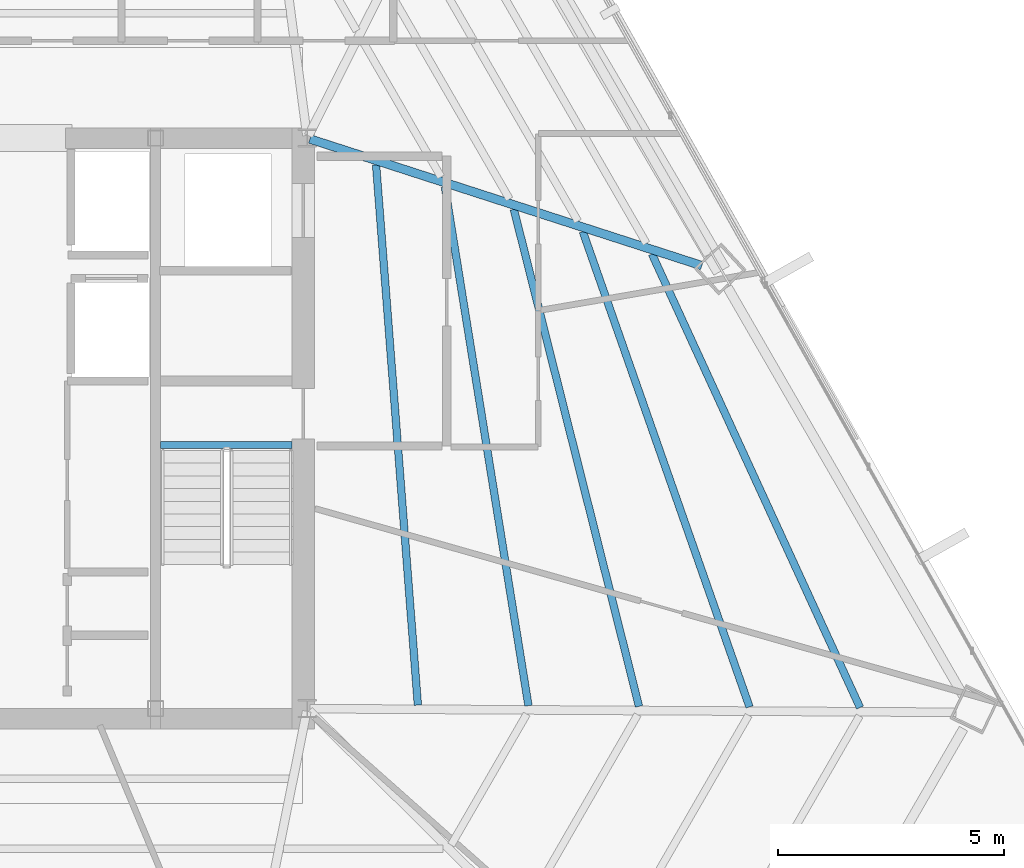
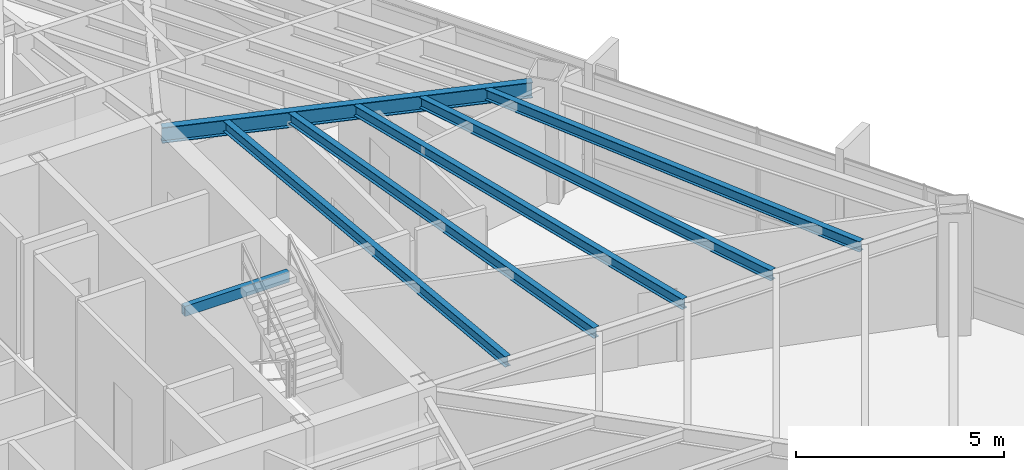
# One storey, part 23 of 42: 7 beams.
"""IFC4 building model written with IfcOpenShell, lengths in metres."""

from ifc_helpers import new_model, si_unit, direction, frame, origin, origin_2d, place, context, subcontext, project, spatial, hollow_rectangle, i_section, extrude, source, transform, mapped, material, material_profile, profile_set, type_object, type_shapes, element, save


model = new_model("IFC4")

# Units and contexts
model_context = context("Model", 3, precision=1e-05, world=origin(), true_north=direction((0.0, 1.0)))
body_context = subcontext(model_context, "Body", "Model", "MODEL_VIEW")
ifc_project = project(units=[si_unit("LENGTHUNIT", "METRE"), si_unit("AREAUNIT", "SQUARE_METRE"), si_unit("VOLUMEUNIT", "CUBIC_METRE"), si_unit("PLANEANGLEUNIT", "RADIAN"), si_unit("MASSUNIT", "GRAM", prefix="KILO")], contexts=[model_context])

# Site, building, storey
site_placement = place(None, origin())
site = spatial("IfcSite", under=ifc_project, at=site_placement, CompositionType="ELEMENT")
building_placement = place(site_placement, origin())
building = spatial("IfcBuilding", under=site, at=building_placement, Name="Caelisora Broadcast Tower", CompositionType="ELEMENT")
storey_placement = place(building_placement, frame((0.0, 0.0, 191.35009765625)))
storey = spatial("IfcBuildingStorey", under=building, at=storey_placement, Name="L50", CompositionType="ELEMENT", Elevation=191.35009765625)

# Beams
ifc_material_1 = material(Name="Steel Grade 350 (AS/NZS 1163 C350L0)", Category="steel")
ifc_material_profile_1 = material_profile(ifc_material_1, hollow_rectangle(XDim=0.14990234375, YDim=0.300048828125, WallThickness=0.010009765625, at=origin_2d()), Name="Steel Grade 350 (AS/NZS 1163 C350L0)")
ifc_profile_set_1 = profile_set([ifc_material_profile_1], Name="Steel Grade 350 (AS/NZS 1163 C350L0)")
beam_type_1 = type_object("IfcBeamType", Name="SB05", PredefinedType="JOIST", material=ifc_profile_set_1)
shared_shape_1 = source(origin(), body_context, "Body", "SweptSolid", [
    extrude(hollow_rectangle(XDim=0.14990234375, YDim=0.300048828125, WallThickness=0.010009765625, at=origin_2d()), origin(), (0.0, 0.0, 1.0), 2.89990234375),
])
type_shapes(beam_type_1, [shared_shape_1])
beam_1_placement = place(storey_placement, frame((42.260009765625, 23.219970703125, 3.25), z_axis=(1.0, 0.0, 0.0), x_axis=(0.0, 1.0, 0.0)))
element("IfcBeam", 1, at=beam_1_placement, inside=storey, type_object=beam_type_1, Name="L50 beam SB05", PredefinedType="JOIST", context=body_context, shape_type="MappedRepresentation", body=[
    mapped(shared_shape_1, transform((0.0, 0.0, 0.0), scale=1.0)),
])
ifc_material_2 = material(Name="Steel Grade 350 (AS/NZS 3679.1)", Category="steel")
ifc_material_profile_2 = material_profile(ifc_material_2, i_section(OverallWidth=0.19091796875, OverallDepth=0.46044921875, WebThickness=0.010009765625, FlangeThickness=0.01611328125, at=origin_2d()), Name="Steel Grade 350 (AS/NZS 3679.1)")
ifc_profile_set_2 = profile_set([ifc_material_profile_2], Name="Steel Grade 350 (AS/NZS 3679.1)")
beam_type_2 = type_object("IfcBeamType", Name="PG06", PredefinedType="BEAM", material=ifc_profile_set_2)
shared_shape_2 = source(origin(), body_context, "Body", "SweptSolid", [
    extrude(i_section(OverallWidth=0.19091796875, OverallDepth=0.46044921875, WebThickness=0.010009765625, FlangeThickness=0.01611328125, at=origin_2d()), origin(), (0.0, 0.0, 1.0), 9.096923828125),
])
type_shapes(beam_type_2, [shared_shape_2])
beam_2_placement = place(storey_placement, frame((45.55712890625, 29.9814453125, 3.169677734375), z_axis=(0.951510614075, -0.307615915229, 0.0), x_axis=(0.307615915229, 0.951510614075, 0.0)))
element("IfcBeam", 2, at=beam_2_placement, inside=storey, type_object=beam_type_2, Name="L50 beam PG06", PredefinedType="BEAM", context=body_context, shape_type="MappedRepresentation", body=[
    mapped(shared_shape_2, transform((0.0, 0.0, 0.0), scale=1.0)),
])
ifc_material_profile_3 = material_profile(ifc_material_2, i_section(OverallWidth=0.166015625, OverallDepth=0.30712890625, WebThickness=0.006591796875, FlangeThickness=0.01171875, at=origin_2d()), Name="Steel Grade 350 (AS/NZS 3679.1)")
ifc_profile_set_3 = profile_set([ifc_material_profile_3], Name="Steel Grade 350 (AS/NZS 3679.1)")
beam_type_3 = type_object("IfcBeamType", Name="SB03", PredefinedType="JOIST", material=ifc_profile_set_3)
shared_shape_3 = source(origin(), body_context, "Body", "SweptSolid", [
    extrude(i_section(OverallWidth=0.166015625, OverallDepth=0.30712890625, WebThickness=0.006591796875, FlangeThickness=0.01171875, at=origin_2d()), origin(), (0.0, 0.0, 1.0), 11.968017578125),
])
beam_3_placement = place(storey_placement, frame((47.94287109375, 17.478759765625, 3.246337890625), z_axis=(-0.077150437032, 0.997019463233, 0.0), x_axis=(-0.997019463233, -0.077150437032, 0.0)))
element("IfcBeam", 3, at=beam_3_placement, inside=storey, type_object=beam_type_3, Name="L50 beam SB03", PredefinedType="JOIST", context=body_context, shape_type="MappedRepresentation", body=[
    mapped(shared_shape_3, transform((0.0, 0.0, 0.0), scale=1.0)),
])
shared_shape_4 = source(origin(), body_context, "Body", "SweptSolid", [
    extrude(i_section(OverallWidth=0.166015625, OverallDepth=0.30712890625, WebThickness=0.006591796875, FlangeThickness=0.01171875, at=origin_2d()), origin(), (0.0, 0.0, 1.0), 11.602294921875),
])
beam_4_placement = place(storey_placement, frame((50.385009765625, 17.465087890625, 3.246337890625), z_axis=(-0.159018744111, 0.987275563873, 0.0), x_axis=(-0.987275563873, -0.159018744111, 0.0)))
element("IfcBeam", 4, at=beam_4_placement, inside=storey, type_object=beam_type_3, Name="L50 beam SB03", PredefinedType="JOIST", context=body_context, shape_type="MappedRepresentation", body=[
    mapped(shared_shape_4, transform((0.0, 0.0, 0.0), scale=1.0)),
])
shared_shape_5 = source(origin(), body_context, "Body", "SweptSolid", [
    extrude(i_section(OverallWidth=0.166015625, OverallDepth=0.30712890625, WebThickness=0.006591796875, FlangeThickness=0.01171875, at=origin_2d()), origin(), (0.0, 0.0, 1.0), 11.318603515625),
])
beam_5_placement = place(storey_placement, frame((52.826416015625, 17.451416015625, 3.246337890625), z_axis=(-0.244235464651, 0.969715957282, 0.0), x_axis=(-0.969715957282, -0.244235464651, 0.0)))
element("IfcBeam", 5, at=beam_5_placement, inside=storey, type_object=beam_type_3, Name="L50 beam SB03", PredefinedType="JOIST", context=body_context, shape_type="MappedRepresentation", body=[
    mapped(shared_shape_5, transform((0.0, 0.0, 0.0), scale=1.0)),
])
shared_shape_6 = source(origin(), body_context, "Body", "SweptSolid", [
    extrude(i_section(OverallWidth=0.166015625, OverallDepth=0.30712890625, WebThickness=0.006591796875, FlangeThickness=0.01171875, at=origin_2d()), origin(), (0.0, 0.0, 1.0), 11.12353515625),
])
beam_6_placement = place(storey_placement, frame((55.26708984375, 17.43798828125, 3.246337890625), z_axis=(-0.330958456134, 0.943645325487, 0.0), x_axis=(-0.943645325487, -0.330958456134, 0.0)))
element("IfcBeam", 6, at=beam_6_placement, inside=storey, type_object=beam_type_3, Name="L50 beam SB03", PredefinedType="JOIST", context=body_context, shape_type="MappedRepresentation", body=[
    mapped(shared_shape_6, transform((0.0, 0.0, 0.0), scale=1.0)),
])
shared_shape_7 = source(origin(), body_context, "Body", "SweptSolid", [
    extrude(i_section(OverallWidth=0.166015625, OverallDepth=0.30712890625, WebThickness=0.006591796875, FlangeThickness=0.01171875, at=origin_2d()), origin(), (0.0, 0.0, 1.0), 11.020263671875),
])
type_shapes(beam_type_3, [shared_shape_3, shared_shape_4, shared_shape_5, shared_shape_6, shared_shape_7])
beam_7_placement = place(storey_placement, frame((57.70703125, 17.42431640625, 3.246337890625), z_axis=(-0.416975069543, 0.908917923346, 0.0), x_axis=(-0.908917923346, -0.416975069543, 0.0)))
element("IfcBeam", 7, at=beam_7_placement, inside=storey, type_object=beam_type_3, Name="L50 beam SB03", PredefinedType="JOIST", context=body_context, shape_type="MappedRepresentation", body=[
    mapped(shared_shape_7, transform((0.0, 0.0, 0.0), scale=1.0)),
])

save(model, "model.ifc")
